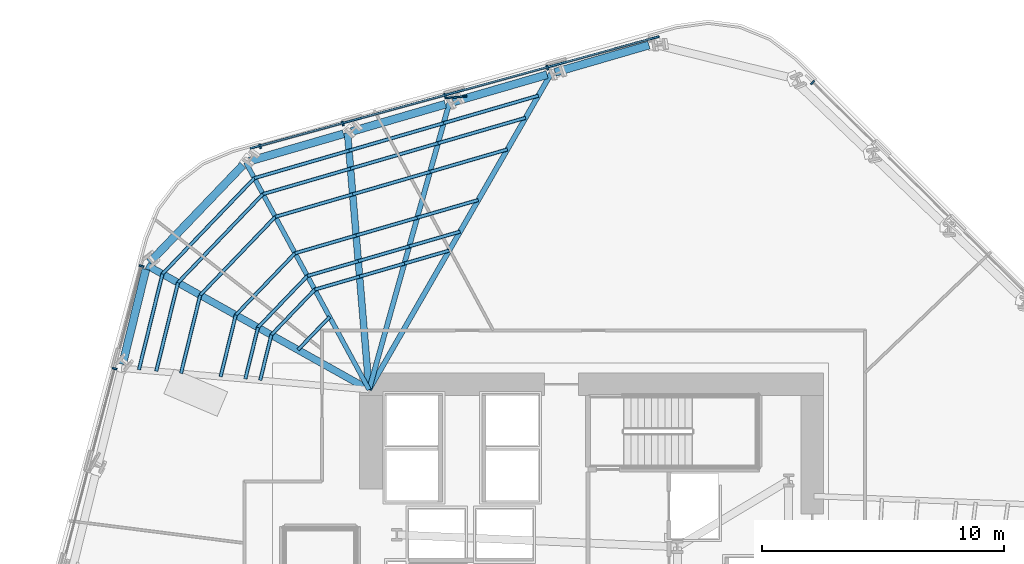
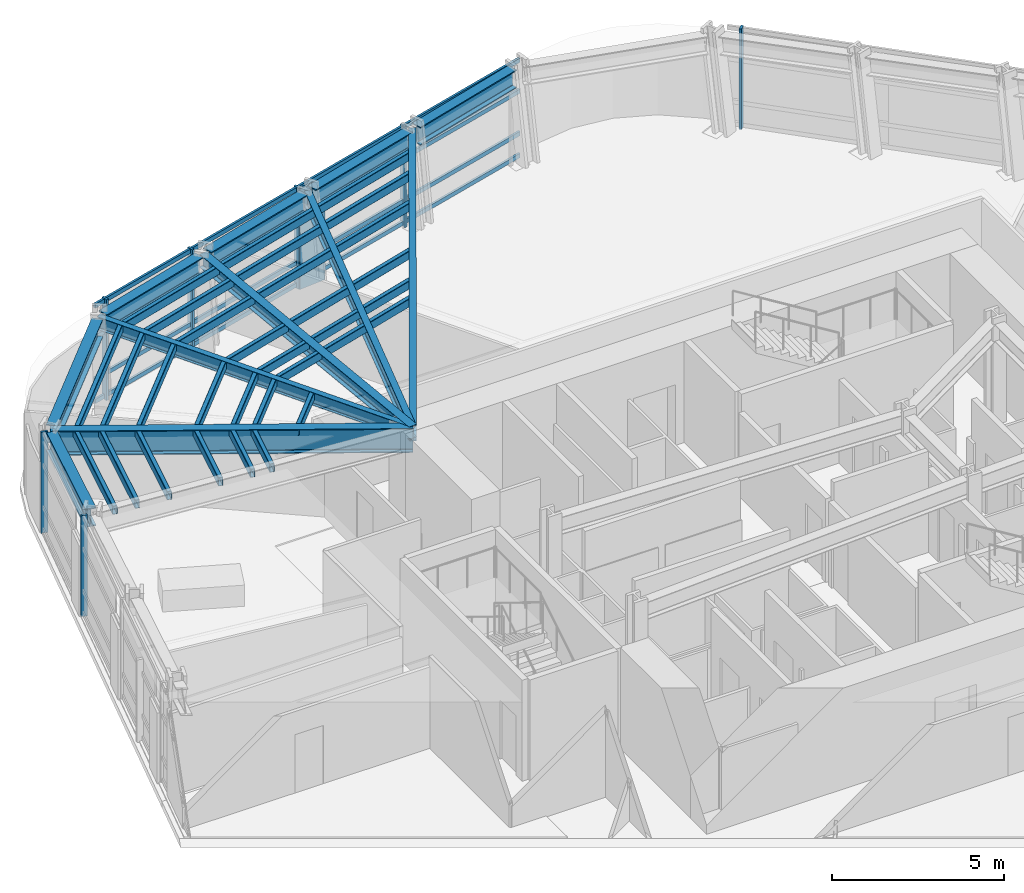
# One storey, part 5 of 16: 43 members, 11 beams, 3 elements without a shape of their own.
"""IFC4 building model written with IfcOpenShell, lengths in metres."""

from ifc_helpers import new_model, si_unit, direction, frame, origin, origin_2d, place, context, subcontext, project, spatial, rectangle, hollow_rectangle, i_section, extrude, material, layer, layer_set, material_profile, profile_set, type_object, element, aggregate, save


model = new_model("IFC4")

# Units and contexts
model_context = context("Model", 3, precision=1e-05, world=origin(), true_north=direction((0.0, 1.0)))
body_context = subcontext(model_context, "Body", "Model", "MODEL_VIEW")
ifc_project = project(units=[si_unit("LENGTHUNIT", "METRE"), si_unit("AREAUNIT", "SQUARE_METRE"), si_unit("VOLUMEUNIT", "CUBIC_METRE"), si_unit("PLANEANGLEUNIT", "RADIAN"), si_unit("MASSUNIT", "GRAM", prefix="KILO")], contexts=[model_context])

# Site, building, storey
site_placement = place(None, origin())
site = spatial("IfcSite", under=ifc_project, at=site_placement, CompositionType="ELEMENT")
building_placement = place(site_placement, origin())
building = spatial("IfcBuilding", under=site, at=building_placement, Name="Valkerne Bourse Tower", CompositionType="ELEMENT")
storey_placement = place(building_placement, frame((0.0, 0.0, 89.60009765625)))
storey = spatial("IfcBuildingStorey", under=building, at=storey_placement, Name="L22", CompositionType="ELEMENT", Elevation=89.60009765625)

# Beams
ifc_material_1 = material(Name="Steel ASTM A992", Category="steel")
ifc_material_profile_1 = material_profile(ifc_material_1, i_section(OverallWidth=0.1904296875, OverallDepth=0.457275390625, WebThickness=0.009033203125, FlangeThickness=0.014404296875, FilletRadius=0.01513671875, at=origin_2d()), Name="W18X50")
ifc_profile_set_1 = profile_set([ifc_material_profile_1], Name="Steel ASTM A992")
beam_type_1 = type_object("IfcBeamType", Name="BM-W18X50", PredefinedType="JOIST", material=ifc_profile_set_1)
beam_1_placement = place(storey_placement, frame((32.498779296875, 44.8046875, 3.351318359375), z_axis=(0.476793223367, -0.879015484591, 0.0), x_axis=(0.879015484591, 0.476793223367, 0.0)))
element("IfcBeam", 1, at=beam_1_placement, inside=storey, type_object=beam_type_1, Name="L22 Radial Composite Floor Beam 09", PredefinedType="JOIST", context=body_context, shape_type="SweptSolid", body=[
    extrude(i_section(OverallWidth=0.1904296875, OverallDepth=0.457275390625, WebThickness=0.009033203125, FlangeThickness=0.014404296875, FilletRadius=0.01513671875, at=origin_2d()), origin(), (0.0, 0.0, 1.0), 10.69921875),
])
ifc_material_profile_2 = material_profile(ifc_material_1, i_section(OverallWidth=0.279296875, OverallDepth=0.46240234375, WebThickness=0.0107421875, FlangeThickness=0.017333984375, FilletRadius=0.017822265625, at=origin_2d()), Name="W18X76")
ifc_profile_set_2 = profile_set([ifc_material_profile_2], Name="Steel ASTM A992")
beam_type_2 = type_object("IfcBeamType", Name="BM-W18X76", PredefinedType="BEAM", material=ifc_profile_set_2)
beam_2_placement = place(storey_placement, frame((36.707763671875, 46.027587890625, 3.348876953125), z_axis=(0.083668746238, -0.996493623112, 0.0), x_axis=(0.996493623112, 0.083668746238, 0.0)))
element("IfcBeam", 2, at=beam_2_placement, inside=storey, type_object=beam_type_2, Name="L22 Radial Composite Floor Beam 08", PredefinedType="BEAM", context=body_context, shape_type="SweptSolid", body=[
    extrude(i_section(OverallWidth=0.279296875, OverallDepth=0.46240234375, WebThickness=0.0107421875, FlangeThickness=0.017333984375, FilletRadius=0.017822265625, at=origin_2d()), origin(), (0.0, 0.0, 1.0), 10.6650390625),
])
ifc_material_profile_3 = material_profile(ifc_material_1, i_section(OverallWidth=0.209228515625, OverallDepth=0.533447265625, WebThickness=0.01025390625, FlangeThickness=0.015625, FilletRadius=0.017822265625, at=origin_2d()), Name="W21X62")
ifc_profile_set_3 = profile_set([ifc_material_profile_3], Name="Steel ASTM A992")
beam_type_3 = type_object("IfcBeamType", Name="BM-W21X62", PredefinedType="JOIST", material=ifc_profile_set_3)
beam_3_placement = place(storey_placement, frame((40.916748046875, 47.25048828125, 3.313232421875), z_axis=(-0.269515862806, -0.962995949989, 0.0), x_axis=(0.962995949989, -0.269515862806, 0.0)))
element("IfcBeam", 3, at=beam_3_placement, inside=storey, type_object=beam_type_3, Name="L22 Radial Composite Floor Beam 07", PredefinedType="JOIST", context=body_context, shape_type="SweptSolid", body=[
    extrude(i_section(OverallWidth=0.209228515625, OverallDepth=0.533447265625, WebThickness=0.01025390625, FlangeThickness=0.015625, FilletRadius=0.017822265625, at=origin_2d()), origin(), (0.0, 0.0, 1.0), 12.305908203125),
])
ifc_material_profile_4 = material_profile(ifc_material_1, i_section(OverallWidth=0.2138671875, OverallDepth=0.548583984375, WebThickness=0.0146484375, FlangeThickness=0.023681640625, FilletRadius=0.017822265625, at=origin_2d()), Name="W21X93")
ifc_profile_set_4 = profile_set([ifc_material_profile_4], Name="Steel ASTM A992")
beam_type_4 = type_object("IfcBeamType", Name="BM-W21X93", PredefinedType="BEAM", material=ifc_profile_set_4)
beam_4_placement = place(storey_placement, frame((45.125732421875, 48.47314453125, 3.3056640625), z_axis=(-0.498895563138, -0.866662112407, 0.0), x_axis=(0.866662112407, -0.498895563138, 0.0)))
element("IfcBeam", 4, at=beam_4_placement, inside=storey, type_object=beam_type_4, Name="L22 Radial Composite Floor Beam 06", PredefinedType="BEAM", context=body_context, shape_type="SweptSolid", body=[
    extrude(i_section(OverallWidth=0.2138671875, OverallDepth=0.548583984375, WebThickness=0.0146484375, FlangeThickness=0.023681640625, FilletRadius=0.017822265625, at=origin_2d()), origin(), (0.0, 0.0, 1.0), 15.08447265625),
])
ifc_material_profile_5 = material_profile(ifc_material_1, i_section(OverallWidth=0.330078125, OverallDepth=0.647705078125, WebThickness=0.0205078125, FlangeThickness=0.037109375, FilletRadius=0.020263671875, at=origin_2d()), Name="W24X192")
ifc_profile_set_5 = profile_set([ifc_material_profile_5], Name="Steel ASTM A992")
beam_type_5 = type_object("IfcBeamType", Name="BM-W24X192", PredefinedType="SPANDREL", material=ifc_profile_set_5)
beam_5_placement = place(storey_placement, frame((49.17138671875, 49.648681640625, 3.256103515625), z_axis=(-0.960281528963, -0.279032946321, 0.0), x_axis=(0.279032946321, -0.960281528963, 0.0)))
element("IfcBeam", 5, at=beam_5_placement, inside=storey, type_object=beam_type_5, Name="L22 Hexagonal Spandrel Ring Beam 05", PredefinedType="SPANDREL", context=body_context, shape_type="SweptSolid", body=[
    extrude(i_section(OverallWidth=0.330078125, OverallDepth=0.647705078125, WebThickness=0.0205078125, FlangeThickness=0.037109375, FilletRadius=0.020263671875, at=origin_2d()), origin(), (0.0, 0.0, 1.0), 4.043212890625),
])
for number, where, z_axis, x_axis, name in (
    (6, (44.96240234375, 48.42578125, 3.256103515625), (-0.96029300739, -0.278993440708, 0.0), (0.278993440708, -0.96029300739, 0.0), "L22 Hexagonal Spandrel Ring Beam 06"),
    (7, (40.75341796875, 47.202880859375, 3.256103515625), (-0.96029300739, -0.278993440708, 0.0), (0.278993440708, -0.96029300739, 0.0), "L22 Hexagonal Spandrel Ring Beam 07"),
    (8, (36.54443359375, 45.980224609375, 3.256103515625), (-0.96029300739, -0.278993440708, 0.0), (0.278993440708, -0.96029300739, 0.0), "L22 Hexagonal Spandrel Ring Beam 08"),
):
    element("IfcBeam", number, at=place(storey_placement, frame(where, z_axis=z_axis, x_axis=x_axis)), inside=storey, type_object=beam_type_5, Name=name, PredefinedType="SPANDREL", context=body_context, shape_type="SweptSolid", body=[
        extrude(i_section(OverallWidth=0.330078125, OverallDepth=0.647705078125, WebThickness=0.0205078125, FlangeThickness=0.037109375, FilletRadius=0.020263671875, at=origin_2d()), origin(), (0.0, 0.0, 1.0), 4.04296875),
    ])
beam_6_placement = place(storey_placement, frame((32.381103515625, 44.68212890625, 3.256103515625), z_axis=(-0.692121647803, -0.721780870238, 0.0), x_axis=(0.721780870238, -0.692121647803, 0.0)))
element("IfcBeam", 9, at=beam_6_placement, inside=storey, type_object=beam_type_5, Name="L22 Hexagonal Spandrel Ring Beam 09", PredefinedType="SPANDREL", context=body_context, shape_type="SweptSolid", body=[
    extrude(i_section(OverallWidth=0.330078125, OverallDepth=0.647705078125, WebThickness=0.0205078125, FlangeThickness=0.037109375, FilletRadius=0.020263671875, at=origin_2d()), origin(), (0.0, 0.0, 1.0), 5.564453125),
])
beam_7_placement = place(storey_placement, frame((28.371337890625, 40.3779296875, 3.256103515625), z_axis=(-0.23852673357, -0.97113593146, 0.0), x_axis=(0.97113593146, -0.23852673357, 0.0)))
element("IfcBeam", 10, at=beam_7_placement, inside=storey, type_object=beam_type_5, Name="L22 Hexagonal Spandrel Ring Beam 10", PredefinedType="SPANDREL", context=body_context, shape_type="SweptSolid", body=[
    extrude(i_section(OverallWidth=0.330078125, OverallDepth=0.647705078125, WebThickness=0.0205078125, FlangeThickness=0.037109375, FilletRadius=0.020263671875, at=origin_2d()), origin(), (0.0, 0.0, 1.0), 4.04296875),
])
ifc_material_profile_6 = material_profile(ifc_material_1, i_section(OverallWidth=0.2919921875, OverallDepth=0.8583984375, WebThickness=0.01708984375, FlangeThickness=0.031005859375, FilletRadius=0.025390625, at=origin_2d()), Name="W33X169")
ifc_profile_set_6 = profile_set([ifc_material_profile_6], Name="Steel ASTM A992")
beam_type_6 = type_object("IfcBeamType", Name="BM-W33X169", PredefinedType="BEAM", material=ifc_profile_set_6)
beam_8_placement = place(storey_placement, frame((28.412109375, 40.543212890625, 3.150634765625), z_axis=(0.872585475383, -0.488461450016, 0.0), x_axis=(0.488461450016, 0.872585475383, 0.0)))
element("IfcBeam", 11, at=beam_8_placement, inside=storey, type_object=beam_type_6, Name="L22 Radial Composite Floor Beam 10", PredefinedType="BEAM", context=body_context, shape_type="SweptSolid", body=[
    extrude(i_section(OverallWidth=0.2919921875, OverallDepth=0.8583984375, WebThickness=0.01708984375, FlangeThickness=0.031005859375, FilletRadius=0.025390625, at=origin_2d()), origin(), (0.0, 0.0, 1.0), 10.529541015625),
])

# Curtain wall, member
ifc_material_2 = material(Name="Aluminium AA 6063-T6", Category="aluminium")
ifc_layer = layer(ifc_material_2, 0.22998046875)
ifc_layer_set = layer_set([ifc_layer], Name="Aluminium AA 6063-T6")
curtain_wall_type = type_object("IfcCurtainWallType", Name="CW-02", PredefinedType="NOTDEFINED", material=ifc_layer_set)
curtain_wall_1_placement = place(storey_placement, origin())
curtain_wall_1 = element("IfcCurtainWall", 12, at=curtain_wall_1_placement, inside=storey, type_object=curtain_wall_type, Name="L22 Hexagonal Stick Curtain Wall Face 1", PredefinedType="NOTDEFINED")
ifc_material_profile_7 = material_profile(ifc_material_2, rectangle(XDim=0.074951171875, YDim=0.199951171875, at=origin_2d()), Name="CWM-75X200")
ifc_profile_set_7 = profile_set([ifc_material_profile_7], Name="Aluminium AA 6063-T6")
member_type_1 = type_object("IfcMemberType", Name="CW-MUL-220X75", PredefinedType="MULLION", material=ifc_profile_set_7)
member_1_placement = place(storey_placement, frame((55.939697265625, 48.101318359375, 0.0), z_axis=(0.0, 0.0, 1.0), x_axis=(-0.710804515933, 0.703389607635, 0.0)))
member_1 = element("IfcMember", 13, at=member_1_placement, type_object=member_type_1, Name="CW-L22-F1 Jamb Mullion 03B", PredefinedType="MULLION", context=body_context, shape_type="SweptSolid", body=[
    extrude(rectangle(XDim=0.074951171875, YDim=0.199951171875, at=origin_2d()), origin(), (0.0, 0.0, 1.0), 3.579833984375),
])
aggregate(curtain_wall_1, [member_1])

# Curtain wall, members
curtain_wall_2_placement = place(storey_placement, origin())
curtain_wall_2 = element("IfcCurtainWall", 14, at=curtain_wall_2_placement, inside=storey, type_object=curtain_wall_type, Name="L22 Hexagonal Stick Curtain Wall Face 2", PredefinedType="NOTDEFINED")
member_2_placement = place(storey_placement, frame((44.968505859375, 48.714111328125, 0.0), z_axis=(0.0, 0.0, 1.0), x_axis=(-0.964555551125, -0.26387987569, 0.0)))
member_2 = element("IfcMember", 15, at=member_2_placement, type_object=member_type_1, Name="CW-L22-F2 Jamb Mullion 01A", PredefinedType="MULLION", context=body_context, shape_type="SweptSolid", body=[
    extrude(rectangle(XDim=0.074951171875, YDim=0.199951171875, at=origin_2d()), origin(), (0.0, 0.0, 1.0), 3.579833984375),
])
member_3_placement = place(storey_placement, frame((40.74072265625, 47.557373046875, 0.0), z_axis=(0.0, 0.0, 1.0), x_axis=(-0.964559769508, -0.263864455822, 0.0)))
member_3 = element("IfcMember", 16, at=member_3_placement, type_object=member_type_1, Name="CW-L22-F2 Jamb Mullion 02A", PredefinedType="MULLION", context=body_context, shape_type="SweptSolid", body=[
    extrude(rectangle(XDim=0.074951171875, YDim=0.199951171875, at=origin_2d()), origin(), (0.0, 0.0, 1.0), 3.579833984375),
])
member_4_placement = place(storey_placement, frame((36.51318359375, 46.40087890625, 0.0), z_axis=(0.0, 0.0, 1.0), x_axis=(-0.964555551125, -0.26387987569, 0.0)))
member_4 = element("IfcMember", 17, at=member_4_placement, type_object=member_type_1, Name="CW-L22-F2 Jamb Mullion 03A", PredefinedType="MULLION", context=body_context, shape_type="SweptSolid", body=[
    extrude(rectangle(XDim=0.074951171875, YDim=0.199951171875, at=origin_2d()), origin(), (0.0, 0.0, 1.0), 3.579833984375),
])
member_5_placement = place(storey_placement, frame((33.095703125, 45.466064453125, 0.0), z_axis=(0.0, 0.0, 1.0), x_axis=(-0.964555551125, -0.26387987569, 0.0)))
member_5 = element("IfcMember", 18, at=member_5_placement, type_object=member_type_1, Name="CW-L22-F2 Jamb Mullion 03B", PredefinedType="MULLION", context=body_context, shape_type="SweptSolid", body=[
    extrude(rectangle(XDim=0.074951171875, YDim=0.199951171875, at=origin_2d()), origin(), (0.0, 0.0, 1.0), 3.579833984375),
])

curtain_wall_3_placement = place(storey_placement, origin())
curtain_wall_3 = element("IfcCurtainWall", 19, at=curtain_wall_3_placement, inside=storey, type_object=curtain_wall_type, Name="L22 Hexagonal Stick Curtain Wall Face 3", PredefinedType="NOTDEFINED")
member_6_placement = place(storey_placement, frame((28.191650390625, 40.51025390625, 0.0), z_axis=(0.0, 0.0, 1.0), x_axis=(-0.253755382081, -0.967268425033, 0.0)))
member_6 = element("IfcMember", 20, at=member_6_placement, type_object=member_type_1, Name="CW-L22-F3 Jamb Mullion 00A", PredefinedType="MULLION", context=body_context, shape_type="SweptSolid", body=[
    extrude(rectangle(XDim=0.074951171875, YDim=0.199951171875, at=origin_2d()), origin(), (0.0, 0.0, 1.0), 3.579833984375),
])
member_7_placement = place(storey_placement, frame((27.079345703125, 36.270751953125, 0.0), z_axis=(0.0, 0.0, 1.0), x_axis=(-0.253776728386, -0.967262824743, 0.0)))
member_7 = element("IfcMember", 21, at=member_7_placement, type_object=member_type_1, Name="CW-L22-F3 Jamb Mullion 01A", PredefinedType="MULLION", context=body_context, shape_type="SweptSolid", body=[
    extrude(rectangle(XDim=0.074951171875, YDim=0.199951171875, at=origin_2d()), origin(), (0.0, 0.0, 1.0), 3.579833984375),
])
aggregate(curtain_wall_3, [member_6, member_7])

# Member
ifc_material_profile_8 = material_profile(ifc_material_2, rectangle(XDim=0.074951171875, YDim=0.14990234375, at=origin_2d()), Name="CWT-75X150")
ifc_profile_set_8 = profile_set([ifc_material_profile_8], Name="Aluminium AA 6063-T6")
member_type_2 = type_object("IfcMemberType", Name="CW-TRN-180X65", PredefinedType="USERDEFINED", material=ifc_profile_set_8)
member_8_placement = place(storey_placement, frame((49.595703125, 50.00048828125, 0.119873046875), z_axis=(-0.964560111307, -0.263863206368, 0.0), x_axis=(0.263863206368, -0.964560111307, 0.0)))
member_8 = element("IfcMember", 22, at=member_8_placement, type_object=member_type_2, Name="CW-L22-F2 Continuous Face Transom 1", ObjectType="TRANSOM", PredefinedType="USERDEFINED", context=body_context, shape_type="SweptSolid", body=[
    extrude(rectangle(XDim=0.074951171875, YDim=0.14990234375, at=origin_2d()), origin(), (0.0, 0.0, 1.0), 17.53173828125),
])

member_9_placement = place(storey_placement, frame((49.595703125, 50.00048828125, 0.89990234375), z_axis=(-0.964560111307, -0.263863206368, 0.0), x_axis=(0.263863206368, -0.964560111307, 0.0)))
member_9 = element("IfcMember", 23, at=member_9_placement, type_object=member_type_2, Name="CW-L22-F2 Continuous Face Transom 2", ObjectType="TRANSOM", PredefinedType="USERDEFINED", context=body_context, shape_type="SweptSolid", body=[
    extrude(rectangle(XDim=0.074951171875, YDim=0.14990234375, at=origin_2d()), origin(), (0.0, 0.0, 1.0), 17.53173828125),
])

member_10_placement = place(storey_placement, frame((49.595703125, 50.00048828125, 2.39990234375), z_axis=(-0.964560111307, -0.263863206368, 0.0), x_axis=(0.263863206368, -0.964560111307, 0.0)))
member_10 = element("IfcMember", 24, at=member_10_placement, type_object=member_type_2, Name="CW-L22-F2 Continuous Face Transom 3", ObjectType="TRANSOM", PredefinedType="USERDEFINED", context=body_context, shape_type="SweptSolid", body=[
    extrude(rectangle(XDim=0.074951171875, YDim=0.14990234375, at=origin_2d()), origin(), (0.0, 0.0, 1.0), 17.53173828125),
])

member_11_placement = place(storey_placement, frame((49.595703125, 50.00048828125, 3.5), z_axis=(-0.964560111307, -0.263863206368, 0.0), x_axis=(0.263863206368, -0.964560111307, 0.0)))
member_11 = element("IfcMember", 25, at=member_11_placement, type_object=member_type_2, Name="CW-L22-F2 Continuous Face Transom 4", ObjectType="TRANSOM", PredefinedType="USERDEFINED", context=body_context, shape_type="SweptSolid", body=[
    extrude(rectangle(XDim=0.074951171875, YDim=0.14990234375, at=origin_2d()), origin(), (0.0, 0.0, 1.0), 17.53173828125),
])

aggregate(curtain_wall_2, [member_8, member_9, member_10, member_11, member_2, member_3, member_4, member_5])

# Members
ifc_material_3 = material(Name="Bronze Anodised Aluminium AA 6063-T6", Category="aluminium")
ifc_material_profile_9 = material_profile(ifc_material_3, rectangle(XDim=0.070068359375, YDim=0.89990234375, at=origin_2d()), Name="FIN-70X900")
ifc_profile_set_9 = profile_set([ifc_material_profile_9], Name="Bronze Anodised Aluminium AA 6063-T6")
member_type_3 = type_object("IfcMemberType", Name="FIN-SOLAR-900", PredefinedType="USERDEFINED", material=ifc_profile_set_9)
member_12_placement = place(storey_placement, frame((41.193359375, 47.49462890625, 0.00390625), z_axis=(0.0, 0.0, 1.0), x_axis=(-0.08448894616, 0.99642441659, 0.0)))
element("IfcMember", 26, at=member_12_placement, inside=storey, type_object=member_type_3, Name="L22 Bronze Anodised Solar Fin F2-02", ObjectType="SOLAR_FIN", PredefinedType="USERDEFINED", context=body_context, shape_type="SweptSolid", body=[
    extrude(rectangle(XDim=0.070068359375, YDim=0.89990234375, at=origin_2d()), origin(), (0.0, 0.0, 1.0), 3.572021484375),
])
ifc_material_4 = material(Name="Steel ASTM A500 Grade C", Category="steel")
ifc_material_profile_10 = material_profile(ifc_material_4, hollow_rectangle(XDim=0.14990234375, YDim=0.300048828125, WallThickness=0.012451171875, OuterFilletRadius=0.02490234375, at=origin_2d()), Name="HSS300X150X12.5")
ifc_profile_set_10 = profile_set([ifc_material_profile_10], Name="Steel ASTM A500 Grade C")
member_type_4 = type_object("IfcMemberType", Name="MBR-HSS300X150X12.5", PredefinedType="PURLIN", material=ifc_profile_set_10)
member_13_placement = place(storey_placement, frame((35.967529296875, 38.409423828125, 3.419921875), z_axis=(-0.692155127232, -0.721748765047, 0.0), x_axis=(0.721748765047, -0.692155127232, 0.0)))
element("IfcMember", 27, at=member_13_placement, inside=storey, type_object=member_type_4, Name="L22 Secondary Composite Floor Purlin I-09", PredefinedType="PURLIN", context=body_context, shape_type="SweptSolid", body=[
    extrude(hollow_rectangle(XDim=0.14990234375, YDim=0.300048828125, WallThickness=0.012451171875, OuterFilletRadius=0.02490234375, at=origin_2d()), origin(), (0.0, 0.0, 1.0), 1.88916015625),
])
for number, where, z_axis, x_axis, name in (
    (28, (40.911376953125, 41.152099609375, 3.419921875), (-0.960325449425, -0.278881751263, 0.0), (0.278881751263, -0.960325449425, 0.0), "L22 Secondary Composite Floor Purlin K-06"),
    (29, (39.059326171875, 40.6142578125, 3.419921875), (-0.960281684682, -0.27903241042, 0.0), (0.27903241042, -0.960281684682, 0.0), "L22 Secondary Composite Floor Purlin K-07"),
):
    element("IfcMember", number, at=place(storey_placement, frame(where, z_axis=z_axis, x_axis=x_axis)), inside=storey, type_object=member_type_4, Name=name, PredefinedType="PURLIN", context=body_context, shape_type="SweptSolid", body=[
        extrude(hollow_rectangle(XDim=0.14990234375, YDim=0.300048828125, WallThickness=0.012451171875, OuterFilletRadius=0.02490234375, at=origin_2d()), origin(), (0.0, 0.0, 1.0), 1.928466796875),
    ])
member_14_placement = place(storey_placement, frame((37.20751953125, 40.076171875, 3.419921875), z_axis=(-0.960291540057, -0.278998491206, 0.0), x_axis=(0.278998491206, -0.960291540057, 0.0)))
element("IfcMember", 30, at=member_14_placement, inside=storey, type_object=member_type_4, Name="L22 Secondary Composite Floor Purlin K-08", PredefinedType="PURLIN", context=body_context, shape_type="SweptSolid", body=[
    extrude(hollow_rectangle(XDim=0.14990234375, YDim=0.300048828125, WallThickness=0.012451171875, OuterFilletRadius=0.02490234375, at=origin_2d()), origin(), (0.0, 0.0, 1.0), 1.9287109375),
])
member_15_placement = place(storey_placement, frame((35.35546875, 39.5380859375, 3.419921875), z_axis=(-0.692150262365, -0.721753430409, 0.0), x_axis=(0.721753430409, -0.692150262365, 0.0)))
element("IfcMember", 31, at=member_15_placement, inside=storey, type_object=member_type_4, Name="L22 Secondary Composite Floor Purlin K-09", PredefinedType="PURLIN", context=body_context, shape_type="SweptSolid", body=[
    extrude(hollow_rectangle(XDim=0.14990234375, YDim=0.300048828125, WallThickness=0.012451171875, OuterFilletRadius=0.02490234375, at=origin_2d()), origin(), (0.0, 0.0, 1.0), 2.597900390625),
])
member_16_placement = place(storey_placement, frame((33.557373046875, 37.6630859375, 3.419921875), z_axis=(-0.238482846855, -0.971146709697, 0.0), x_axis=(0.971146709697, -0.238482846855, 0.0)))
element("IfcMember", 32, at=member_16_placement, inside=storey, type_object=member_type_4, Name="L22 Secondary Composite Floor Purlin K-10", PredefinedType="PURLIN", context=body_context, shape_type="SweptSolid", body=[
    extrude(hollow_rectangle(XDim=0.14990234375, YDim=0.300048828125, WallThickness=0.012451171875, OuterFilletRadius=0.02490234375, at=origin_2d()), origin(), (0.0, 0.0, 1.0), 1.9287109375),
])
for number, where, z_axis, x_axis, name in (
    (33, (41.36279296875, 41.9365234375, 3.419921875), (-0.960303877823, -0.27895602205, 0.0), (0.27895602205, -0.960303877823, 0.0), "L22 Secondary Composite Floor Purlin M-06"),
    (34, (39.25830078125, 41.3251953125, 3.419921875), (-0.960303877823, -0.27895602205, 0.0), (0.27895602205, -0.960303877823, 0.0), "L22 Secondary Composite Floor Purlin M-07"),
):
    element("IfcMember", number, at=place(storey_placement, frame(where, z_axis=z_axis, x_axis=x_axis)), inside=storey, type_object=member_type_4, Name=name, PredefinedType="PURLIN", context=body_context, shape_type="SweptSolid", body=[
        extrude(hollow_rectangle(XDim=0.14990234375, YDim=0.300048828125, WallThickness=0.012451171875, OuterFilletRadius=0.02490234375, at=origin_2d()), origin(), (0.0, 0.0, 1.0), 2.19140625),
    ])
member_17_placement = place(storey_placement, frame((37.15380859375, 40.7138671875, 3.419921875), z_axis=(-0.960274030025, -0.279058752345, 0.0), x_axis=(0.279058752345, -0.960274030025, 0.0)))
element("IfcMember", 35, at=member_17_placement, inside=storey, type_object=member_type_4, Name="L22 Secondary Composite Floor Purlin M-08", PredefinedType="PURLIN", context=body_context, shape_type="SweptSolid", body=[
    extrude(hollow_rectangle(XDim=0.14990234375, YDim=0.300048828125, WallThickness=0.012451171875, OuterFilletRadius=0.02490234375, at=origin_2d()), origin(), (0.0, 0.0, 1.0), 2.191650390625),
])
member_18_placement = place(storey_placement, frame((35.04931640625, 40.102294921875, 3.419921875), z_axis=(-0.69214782213, -0.721755770549, 0.0), x_axis=(0.721755770549, -0.69214782213, 0.0)))
element("IfcMember", 36, at=member_18_placement, inside=storey, type_object=member_type_4, Name="L22 Secondary Composite Floor Purlin M-09", PredefinedType="PURLIN", context=body_context, shape_type="SweptSolid", body=[
    extrude(hollow_rectangle(XDim=0.14990234375, YDim=0.300048828125, WallThickness=0.012451171875, OuterFilletRadius=0.02490234375, at=origin_2d()), origin(), (0.0, 0.0, 1.0), 2.951904296875),
])
member_19_placement = place(storey_placement, frame((33.006103515625, 37.9716796875, 3.419921875), z_axis=(-0.238602143239, -0.971117406518, 0.0), x_axis=(0.971117406518, -0.238602143239, 0.0)))
element("IfcMember", 37, at=member_19_placement, inside=storey, type_object=member_type_4, Name="L22 Secondary Composite Floor Purlin M-10", PredefinedType="PURLIN", context=body_context, shape_type="SweptSolid", body=[
    extrude(hollow_rectangle(XDim=0.14990234375, YDim=0.300048828125, WallThickness=0.012451171875, OuterFilletRadius=0.02490234375, at=origin_2d()), origin(), (0.0, 0.0, 1.0), 2.191650390625),
])
member_20_placement = place(storey_placement, frame((43.319580078125, 45.335693359375, 3.419921875), z_axis=(-0.96028923639, -0.279006420128, 0.0), x_axis=(0.279006420128, -0.96028923639, 0.0)))
element("IfcMember", 38, at=member_20_placement, inside=storey, type_object=member_type_4, Name="L22 Secondary Composite Floor Purlin O-06", PredefinedType="PURLIN", context=body_context, shape_type="SweptSolid", body=[
    extrude(hollow_rectangle(XDim=0.14990234375, YDim=0.300048828125, WallThickness=0.012451171875, OuterFilletRadius=0.02490234375, at=origin_2d()), origin(), (0.0, 0.0, 1.0), 3.331298828125),
])
for number, where, z_axis, x_axis, name in (
    (39, (40.12060546875, 44.40625, 3.419921875), (-0.960303167159, -0.278958468494, 0.0), (0.278958468494, -0.960303167159, 0.0), "L22 Secondary Composite Floor Purlin O-07"),
    (40, (36.921875, 43.47705078125, 3.419921875), (-0.960283530735, -0.279026057206, 0.0), (0.279026057206, -0.960283530735, 0.0), "L22 Secondary Composite Floor Purlin O-08"),
):
    element("IfcMember", number, at=place(storey_placement, frame(where, z_axis=z_axis, x_axis=x_axis)), inside=storey, type_object=member_type_4, Name=name, PredefinedType="PURLIN", context=body_context, shape_type="SweptSolid", body=[
        extrude(hollow_rectangle(XDim=0.14990234375, YDim=0.300048828125, WallThickness=0.012451171875, OuterFilletRadius=0.02490234375, at=origin_2d()), origin(), (0.0, 0.0, 1.0), 3.3310546875),
    ])
member_21_placement = place(storey_placement, frame((33.72314453125, 42.547607421875, 3.419921875), z_axis=(-0.692153472933, -0.721750351511, 0.0), x_axis=(0.721750351511, -0.692153472933, 0.0)))
element("IfcMember", 41, at=member_21_placement, inside=storey, type_object=member_type_4, Name="L22 Secondary Composite Floor Purlin O-09", PredefinedType="PURLIN", context=body_context, shape_type="SweptSolid", body=[
    extrude(hollow_rectangle(XDim=0.14990234375, YDim=0.300048828125, WallThickness=0.012451171875, OuterFilletRadius=0.02490234375, at=origin_2d()), origin(), (0.0, 0.0, 1.0), 4.4873046875),
])
member_22_placement = place(storey_placement, frame((30.6171875, 39.308837890625, 3.419921875), z_axis=(-0.238550199627, -0.971130167515, 0.0), x_axis=(0.971130167515, -0.238550199627, 0.0)))
element("IfcMember", 42, at=member_22_placement, inside=storey, type_object=member_type_4, Name="L22 Secondary Composite Floor Purlin O-10", PredefinedType="PURLIN", context=body_context, shape_type="SweptSolid", body=[
    extrude(hollow_rectangle(XDim=0.14990234375, YDim=0.300048828125, WallThickness=0.012451171875, OuterFilletRadius=0.02490234375, at=origin_2d()), origin(), (0.0, 0.0, 1.0), 3.331298828125),
])
for number, where, z_axis, x_axis, name in (
    (43, (42.115478515625, 43.243896484375, 3.419921875), (-0.960298903824, -0.278973144431, 0.0), (0.278973144431, -0.960298903824, 0.0), "L22 Secondary Composite Floor Purlin Z-06"),
    (44, (39.590087890625, 42.51025390625, 3.419921875), (-0.960298903824, -0.278973144431, 0.0), (0.278973144431, -0.960298903824, 0.0), "L22 Secondary Composite Floor Purlin Z-07"),
    (45, (37.064697265625, 41.776611328125, 3.419921875), (-0.960298903824, -0.278973144431, 0.0), (0.278973144431, -0.960298903824, 0.0), "L22 Secondary Composite Floor Purlin Z-08"),
):
    element("IfcMember", number, at=place(storey_placement, frame(where, z_axis=z_axis, x_axis=x_axis)), inside=storey, type_object=member_type_4, Name=name, PredefinedType="PURLIN", context=body_context, shape_type="SweptSolid", body=[
        extrude(hollow_rectangle(XDim=0.14990234375, YDim=0.300048828125, WallThickness=0.012451171875, OuterFilletRadius=0.02490234375, at=origin_2d()), origin(), (0.0, 0.0, 1.0), 2.6298828125),
    ])
member_23_placement = place(storey_placement, frame((34.539306640625, 41.04296875, 3.419921875), z_axis=(-0.692135819154, -0.721767280946, 0.0), x_axis=(0.721767280946, -0.692135819154, 0.0)))
element("IfcMember", 46, at=member_23_placement, inside=storey, type_object=member_type_4, Name="L22 Secondary Composite Floor Purlin Z-09", PredefinedType="PURLIN", context=body_context, shape_type="SweptSolid", body=[
    extrude(hollow_rectangle(XDim=0.14990234375, YDim=0.300048828125, WallThickness=0.012451171875, OuterFilletRadius=0.02490234375, at=origin_2d()), origin(), (0.0, 0.0, 1.0), 3.54296875),
])
member_24_placement = place(storey_placement, frame((32.087158203125, 38.48583984375, 3.419921875), z_axis=(-0.238492478791, -0.971144344349, 0.0), x_axis=(0.971144344349, -0.238492478791, 0.0)))
element("IfcMember", 47, at=member_24_placement, inside=storey, type_object=member_type_4, Name="L22 Secondary Composite Floor Purlin Z-10", PredefinedType="PURLIN", context=body_context, shape_type="SweptSolid", body=[
    extrude(hollow_rectangle(XDim=0.14990234375, YDim=0.300048828125, WallThickness=0.012451171875, OuterFilletRadius=0.02490234375, at=origin_2d()), origin(), (0.0, 0.0, 1.0), 2.6298828125),
])
member_25_placement = place(storey_placement, frame((44.072021484375, 46.64306640625, 3.419921875), z_axis=(-0.960282426019, -0.279029859118, 0.0), x_axis=(0.279029859118, -0.960282426019, 0.0)))
element("IfcMember", 48, at=member_25_placement, inside=storey, type_object=member_type_4, Name="L22 Secondary Composite Floor Purlin T-06", PredefinedType="PURLIN", context=body_context, shape_type="SweptSolid", body=[
    extrude(hollow_rectangle(XDim=0.14990234375, YDim=0.300048828125, WallThickness=0.012451171875, OuterFilletRadius=0.02490234375, at=origin_2d()), origin(), (0.0, 0.0, 1.0), 3.769287109375),
])
member_26_placement = place(storey_placement, frame((40.452392578125, 45.59130859375, 3.419921875), z_axis=(-0.960304819791, -0.278952779311, 0.0), x_axis=(0.278952779311, -0.960304819791, 0.0)))
element("IfcMember", 49, at=member_26_placement, inside=storey, type_object=member_type_4, Name="L22 Secondary Composite Floor Purlin T-07", PredefinedType="PURLIN", context=body_context, shape_type="SweptSolid", body=[
    extrude(hollow_rectangle(XDim=0.14990234375, YDim=0.300048828125, WallThickness=0.012451171875, OuterFilletRadius=0.02490234375, at=origin_2d()), origin(), (0.0, 0.0, 1.0), 3.76953125),
])
member_27_placement = place(storey_placement, frame((36.83251953125, 44.539794921875, 3.419921875), z_axis=(-0.960282426019, -0.279029859118, 0.0), x_axis=(0.279029859118, -0.960282426019, 0.0)))
element("IfcMember", 50, at=member_27_placement, inside=storey, type_object=member_type_4, Name="L22 Secondary Composite Floor Purlin T-08", PredefinedType="PURLIN", context=body_context, shape_type="SweptSolid", body=[
    extrude(hollow_rectangle(XDim=0.14990234375, YDim=0.300048828125, WallThickness=0.012451171875, OuterFilletRadius=0.02490234375, at=origin_2d()), origin(), (0.0, 0.0, 1.0), 3.769287109375),
])
member_28_placement = place(storey_placement, frame((33.212890625, 43.488037109375, 3.419921875), z_axis=(-0.69214341392, -0.721759997899, 0.0), x_axis=(0.721759997899, -0.69214341392, 0.0)))
element("IfcMember", 51, at=member_28_placement, inside=storey, type_object=member_type_4, Name="L22 Secondary Composite Floor Purlin T-09", PredefinedType="PURLIN", context=body_context, shape_type="SweptSolid", body=[
    extrude(hollow_rectangle(XDim=0.14990234375, YDim=0.300048828125, WallThickness=0.012451171875, OuterFilletRadius=0.02490234375, at=origin_2d()), origin(), (0.0, 0.0, 1.0), 5.077880859375),
])
member_29_placement = place(storey_placement, frame((29.6982421875, 39.822998046875, 3.419921875), z_axis=(-0.238494727069, -0.971143792216, 0.0), x_axis=(0.971143792216, -0.238494727069, 0.0)))
element("IfcMember", 52, at=member_29_placement, inside=storey, type_object=member_type_4, Name="L22 Secondary Composite Floor Purlin T-10", PredefinedType="PURLIN", context=body_context, shape_type="SweptSolid", body=[
    extrude(hollow_rectangle(XDim=0.14990234375, YDim=0.300048828125, WallThickness=0.012451171875, OuterFilletRadius=0.02490234375, at=origin_2d()), origin(), (0.0, 0.0, 1.0), 3.76904296875),
])
for number, where, z_axis, x_axis, name in (
    (53, (44.598876953125, 47.55810546875, 3.419921875), (-0.960293959977, -0.278990161889, 0.0), (0.278990161889, -0.960293959977, 0.0), "L22 Secondary Composite Floor Purlin U-06"),
    (54, (40.6845703125, 46.4208984375, 3.419921875), (-0.960293959977, -0.278990161889, 0.0), (0.278990161889, -0.960293959977, 0.0), "L22 Secondary Composite Floor Purlin U-07"),
    (55, (36.770263671875, 45.28369140625, 3.419921875), (-0.960293959977, -0.278990161889, 0.0), (0.278990161889, -0.960293959977, 0.0), "L22 Secondary Composite Floor Purlin U-08"),
):
    element("IfcMember", number, at=place(storey_placement, frame(where, z_axis=z_axis, x_axis=x_axis)), inside=storey, type_object=member_type_4, Name=name, PredefinedType="PURLIN", context=body_context, shape_type="SweptSolid", body=[
        extrude(hollow_rectangle(XDim=0.14990234375, YDim=0.300048828125, WallThickness=0.012451171875, OuterFilletRadius=0.02490234375, at=origin_2d()), origin(), (0.0, 0.0, 1.0), 4.076171875),
    ])
member_30_placement = place(storey_placement, frame((32.85595703125, 44.146484375, 3.419921875), z_axis=(-0.692146734039, -0.721756814002, 0.0), x_axis=(0.721756814002, -0.692146734039, 0.0)))
element("IfcMember", 56, at=member_30_placement, inside=storey, type_object=member_type_4, Name="L22 Secondary Composite Floor Purlin U-09", PredefinedType="PURLIN", context=body_context, shape_type="SweptSolid", body=[
    extrude(hollow_rectangle(XDim=0.14990234375, YDim=0.300048828125, WallThickness=0.012451171875, OuterFilletRadius=0.02490234375, at=origin_2d()), origin(), (0.0, 0.0, 1.0), 5.4912109375),
])
member_31_placement = place(storey_placement, frame((29.05517578125, 40.18310546875, 3.419921875), z_axis=(-0.238559420001, -0.971127902559, 0.0), x_axis=(0.971127902559, -0.238559420001, 0.0)))
element("IfcMember", 57, at=member_31_placement, inside=storey, type_object=member_type_4, Name="L22 Secondary Composite Floor Purlin U-10", PredefinedType="PURLIN", context=body_context, shape_type="SweptSolid", body=[
    extrude(hollow_rectangle(XDim=0.14990234375, YDim=0.300048828125, WallThickness=0.012451171875, OuterFilletRadius=0.02490234375, at=origin_2d()), origin(), (0.0, 0.0, 1.0), 4.076171875),
])

save(model, "model.ifc")
